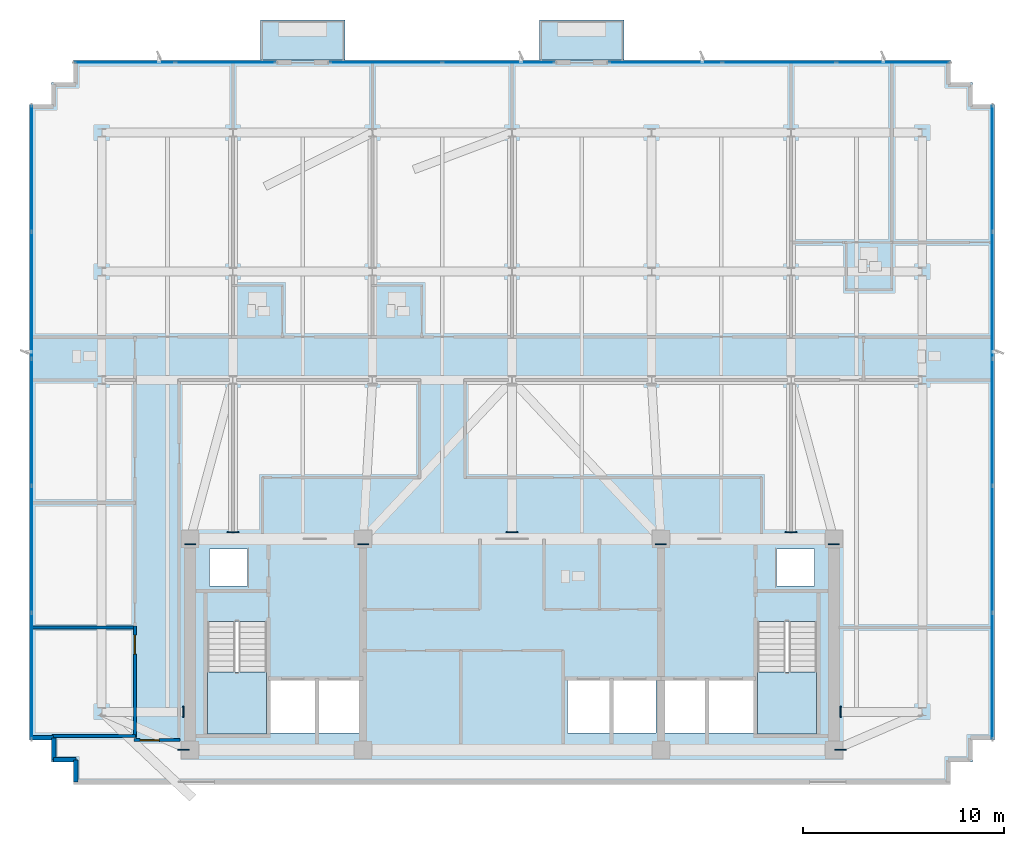
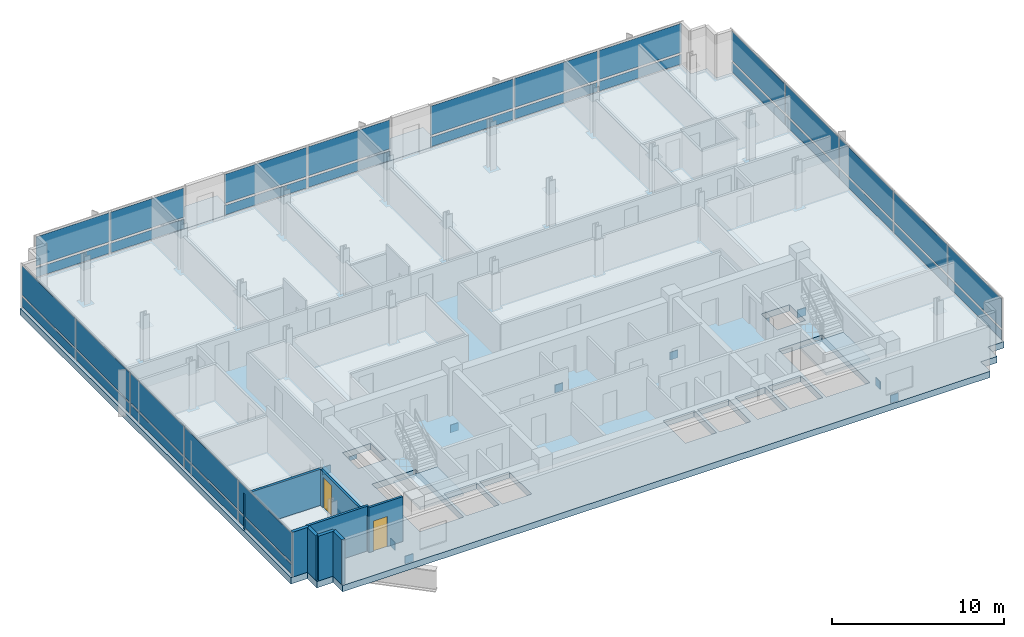
# One storey, part 7 of 16: 45 plates, 8 walls, 5 slabs, 2 doors, 2 openings, 7 elements without a shape of their own.
"""IFC4 building model written with IfcOpenShell, lengths in metres."""

from ifc_helpers import new_model, si_unit, direction, frame, frame_2d, origin, origin_2d, place, context, subcontext, project, spatial, polyline, rectangle, outline, extrude, material, layer, layer_set, type_object, element, fill, aggregate, save


model = new_model("IFC4")

# Units and contexts
model_context = context("Model", 3, precision=1e-05, world=origin(), true_north=direction((0.0, 1.0)))
body_context = subcontext(model_context, "Body", "Model", "MODEL_VIEW")
ifc_project = project(units=[si_unit("LENGTHUNIT", "METRE"), si_unit("AREAUNIT", "SQUARE_METRE"), si_unit("VOLUMEUNIT", "CUBIC_METRE"), si_unit("PLANEANGLEUNIT", "RADIAN"), si_unit("MASSUNIT", "GRAM", prefix="KILO")], contexts=[model_context])

# Site, building, storey
site_placement = place(None, origin())
site = spatial("IfcSite", under=ifc_project, at=site_placement, CompositionType="ELEMENT")
building_placement = place(site_placement, origin())
building = spatial("IfcBuilding", under=site, at=building_placement, Name="Solmavex Isthmus Hotel", CompositionType="ELEMENT")
storey_placement = place(building_placement, frame((0.0, 0.0, 245.39990234375)))
storey = spatial("IfcBuildingStorey", under=building, at=storey_placement, Name="L66", CompositionType="ELEMENT", Elevation=245.39990234375)

# Curtain wall, plates
ifc_material_1 = material(Name="Aluminium alloy 6063-T6", Category="aluminium")
curtain_wall_type = type_object("IfcCurtainWallType", Name="CW-SYS-04", PredefinedType="NOTDEFINED", material=ifc_material_1)
curtain_wall_1_placement = place(storey_placement, origin())
curtain_wall_1 = element("IfcCurtainWall", 1, at=curtain_wall_1_placement, inside=storey, type_object=curtain_wall_type, Name="Stick Curtain Wall CWL-L66-N1", PredefinedType="NOTDEFINED")
ifc_material_2 = material(Name="Clear low-E laminated glass", Category="glass")
ifc_layer_1 = layer(ifc_material_2, 0.033935546875)
ifc_layer_set_1 = layer_set([ifc_layer_1], Name="Clear low-E laminated glass")
plate_type_1 = type_object("IfcPlateType", Name="CW-SYS-04-PNL", PredefinedType="CURTAIN_PANEL", material=ifc_layer_set_1)
plate_1_placement = place(storey_placement, frame((-19.25732421875, 21.179931640625, 0.14990234375), z_axis=(0.0, 0.0, 1.0), x_axis=(1.0, 0.0, 0.0)))
plate_1 = element("IfcPlate", 2, at=plate_1_placement, type_object=plate_type_1, Name="CW-04 panel 1.1", PredefinedType="CURTAIN_PANEL", context=body_context, shape_type="SweptSolid", body=[
    extrude(rectangle(XDim=4.935546875, YDim=0.033935546875, at=origin_2d()), origin(), (0.0, 0.0, 1.0), 0.675048828125),
])
plate_2_placement = place(storey_placement, frame((-19.25732421875, 21.179931640625, 0.97509765625), z_axis=(0.0, 0.0, 1.0), x_axis=(1.0, 0.0, 0.0)))
plate_2 = element("IfcPlate", 3, at=plate_2_placement, type_object=plate_type_1, Name="CW-04 panel 1.2", PredefinedType="CURTAIN_PANEL", context=body_context, shape_type="SweptSolid", body=[
    extrude(rectangle(XDim=4.935546875, YDim=0.033935546875, at=origin_2d()), origin(), (0.0, 0.0, 1.0), 2.06494140625),
])
plate_3_placement = place(storey_placement, frame((-14.246826171875, 21.179931640625, 0.14990234375), z_axis=(0.0, 0.0, 1.0), x_axis=(1.0, 0.0, 0.0)))
plate_3 = element("IfcPlate", 4, at=plate_3_placement, type_object=plate_type_1, Name="CW-04 panel 2.1", PredefinedType="CURTAIN_PANEL", context=body_context, shape_type="SweptSolid", body=[
    extrude(rectangle(XDim=4.935546875, YDim=0.033935546875, at=origin_2d()), origin(), (0.0, 0.0, 1.0), 0.675048828125),
])
plate_4_placement = place(storey_placement, frame((-14.246826171875, 21.179931640625, 0.97509765625), z_axis=(0.0, 0.0, 1.0), x_axis=(1.0, 0.0, 0.0)))
plate_4 = element("IfcPlate", 5, at=plate_4_placement, type_object=plate_type_1, Name="CW-04 panel 2.2", PredefinedType="CURTAIN_PANEL", context=body_context, shape_type="SweptSolid", body=[
    extrude(rectangle(XDim=4.935546875, YDim=0.033935546875, at=origin_2d()), origin(), (0.0, 0.0, 1.0), 2.06494140625),
])
aggregate(curtain_wall_1, [plate_1, plate_2, plate_3, plate_4])

curtain_wall_2_placement = place(storey_placement, origin())
curtain_wall_2 = element("IfcCurtainWall", 6, at=curtain_wall_2_placement, inside=storey, type_object=curtain_wall_type, Name="Stick Curtain Wall CWL-L66-N2", PredefinedType="NOTDEFINED")
plate_5_placement = place(storey_placement, frame((-6.267333984375, 21.179931640625, 0.14990234375), z_axis=(0.0, 0.0, 1.0), x_axis=(1.0, 0.0, 0.0)))
plate_5 = element("IfcPlate", 7, at=plate_5_placement, type_object=plate_type_1, Name="CW-04 panel 1.1", PredefinedType="CURTAIN_PANEL", context=body_context, shape_type="SweptSolid", body=[
    extrude(rectangle(XDim=5.5234375, YDim=0.033935546875, at=origin_2d()), origin(), (0.0, 0.0, 1.0), 0.675048828125),
])
plate_6_placement = place(storey_placement, frame((-6.267333984375, 21.179931640625, 0.97509765625), z_axis=(0.0, 0.0, 1.0), x_axis=(1.0, 0.0, 0.0)))
plate_6 = element("IfcPlate", 8, at=plate_6_placement, type_object=plate_type_1, Name="CW-04 panel 1.2", PredefinedType="CURTAIN_PANEL", context=body_context, shape_type="SweptSolid", body=[
    extrude(rectangle(XDim=5.5234375, YDim=0.033935546875, at=origin_2d()), origin(), (0.0, 0.0, 1.0), 2.06494140625),
])
plate_7_placement = place(storey_placement, frame((-0.668701171875, 21.179931640625, 0.14990234375), z_axis=(0.0, 0.0, 1.0), x_axis=(1.0, 0.0, 0.0)))
plate_7 = element("IfcPlate", 9, at=plate_7_placement, type_object=plate_type_1, Name="CW-04 panel 2.1", PredefinedType="CURTAIN_PANEL", context=body_context, shape_type="SweptSolid", body=[
    extrude(rectangle(XDim=5.5234375, YDim=0.033935546875, at=origin_2d()), origin(), (0.0, 0.0, 1.0), 0.675048828125),
])
plate_8_placement = place(storey_placement, frame((-0.668701171875, 21.179931640625, 0.97509765625), z_axis=(0.0, 0.0, 1.0), x_axis=(1.0, 0.0, 0.0)))
plate_8 = element("IfcPlate", 10, at=plate_8_placement, type_object=plate_type_1, Name="CW-04 panel 2.2", PredefinedType="CURTAIN_PANEL", context=body_context, shape_type="SweptSolid", body=[
    extrude(rectangle(XDim=5.5234375, YDim=0.033935546875, at=origin_2d()), origin(), (0.0, 0.0, 1.0), 2.06494140625),
])
aggregate(curtain_wall_2, [plate_5, plate_6, plate_7, plate_8])

curtain_wall_3_placement = place(storey_placement, origin())
curtain_wall_3 = element("IfcCurtainWall", 11, at=curtain_wall_3_placement, inside=storey, type_object=curtain_wall_type, Name="Stick Curtain Wall CWL-L66-N3", PredefinedType="NOTDEFINED")
plate_9_placement = place(storey_placement, frame((7.62548828125, 21.179931640625, 0.14990234375), z_axis=(0.0, 0.0, 1.0), x_axis=(1.0, 0.0, 0.0)))
plate_9 = element("IfcPlate", 12, at=plate_9_placement, type_object=plate_type_1, Name="CW-04 panel 1.1", PredefinedType="CURTAIN_PANEL", context=body_context, shape_type="SweptSolid", body=[
    extrude(rectangle(XDim=5.56494140625, YDim=0.033935546875, at=origin_2d()), origin(), (0.0, 0.0, 1.0), 0.675048828125),
])
plate_10_placement = place(storey_placement, frame((7.62548828125, 21.179931640625, 0.97509765625), z_axis=(0.0, 0.0, 1.0), x_axis=(1.0, 0.0, 0.0)))
plate_10 = element("IfcPlate", 13, at=plate_10_placement, type_object=plate_type_1, Name="CW-04 panel 1.2", PredefinedType="CURTAIN_PANEL", context=body_context, shape_type="SweptSolid", body=[
    extrude(rectangle(XDim=5.56494140625, YDim=0.033935546875, at=origin_2d()), origin(), (0.0, 0.0, 1.0), 2.06494140625),
])
plate_11_placement = place(storey_placement, frame((13.283935546875, 21.179931640625, 0.14990234375), z_axis=(0.0, 0.0, 1.0), x_axis=(1.0, 0.0, 0.0)))
plate_11 = element("IfcPlate", 14, at=plate_11_placement, type_object=plate_type_1, Name="CW-04 panel 2.1", PredefinedType="CURTAIN_PANEL", context=body_context, shape_type="SweptSolid", body=[
    extrude(rectangle(XDim=5.602294921875, YDim=0.033935546875, at=origin_2d()), origin(), (0.0, 0.0, 1.0), 0.675048828125),
])
plate_12_placement = place(storey_placement, frame((13.283935546875, 21.179931640625, 0.97509765625), z_axis=(0.0, 0.0, 1.0), x_axis=(1.0, 0.0, 0.0)))
plate_12 = element("IfcPlate", 15, at=plate_12_placement, type_object=plate_type_1, Name="CW-04 panel 2.2", PredefinedType="CURTAIN_PANEL", context=body_context, shape_type="SweptSolid", body=[
    extrude(rectangle(XDim=5.602294921875, YDim=0.033935546875, at=origin_2d()), origin(), (0.0, 0.0, 1.0), 2.06494140625),
])
plate_13_placement = place(storey_placement, frame((18.942626953125, 21.179931640625, 0.14990234375), z_axis=(0.0, 0.0, 1.0), x_axis=(1.0, 0.0, 0.0)))
plate_13 = element("IfcPlate", 16, at=plate_13_placement, type_object=plate_type_1, Name="CW-04 panel 3.1", PredefinedType="CURTAIN_PANEL", context=body_context, shape_type="SweptSolid", body=[
    extrude(rectangle(XDim=5.56494140625, YDim=0.033935546875, at=origin_2d()), origin(), (0.0, 0.0, 1.0), 0.675048828125),
])
plate_14_placement = place(storey_placement, frame((18.942626953125, 21.179931640625, 0.97509765625), z_axis=(0.0, 0.0, 1.0), x_axis=(1.0, 0.0, 0.0)))
plate_14 = element("IfcPlate", 17, at=plate_14_placement, type_object=plate_type_1, Name="CW-04 panel 3.2", PredefinedType="CURTAIN_PANEL", context=body_context, shape_type="SweptSolid", body=[
    extrude(rectangle(XDim=5.56494140625, YDim=0.033935546875, at=origin_2d()), origin(), (0.0, 0.0, 1.0), 2.06494140625),
])
aggregate(curtain_wall_3, [plate_9, plate_10, plate_11, plate_12, plate_13, plate_14])

curtain_wall_4_placement = place(storey_placement, origin())
curtain_wall_4 = element("IfcCurtainWall", 18, at=curtain_wall_4_placement, inside=storey, type_object=curtain_wall_type, Name="Stick Curtain Wall CWL-L66-W1", PredefinedType="NOTDEFINED")
plate_15_placement = place(storey_placement, frame((-23.8798828125, -9.3212890625, 0.14990234375), z_axis=(0.0, 0.0, 1.0), x_axis=(0.0, 1.0, 0.0)))
plate_15 = element("IfcPlate", 19, at=plate_15_placement, type_object=plate_type_1, Name="CW-04 panel 1.1", PredefinedType="CURTAIN_PANEL", context=body_context, shape_type="SweptSolid", body=[
    extrude(rectangle(XDim=6.20751953125, YDim=0.033935546875, at=origin_2d()), origin(), (0.0, 0.0, 1.0), 0.675048828125),
])
plate_16_placement = place(storey_placement, frame((-23.8798828125, -9.3212890625, 0.97509765625), z_axis=(0.0, 0.0, 1.0), x_axis=(0.0, 1.0, 0.0)))
plate_16 = element("IfcPlate", 20, at=plate_16_placement, type_object=plate_type_1, Name="CW-04 panel 1.2", PredefinedType="CURTAIN_PANEL", context=body_context, shape_type="SweptSolid", body=[
    extrude(rectangle(XDim=6.20751953125, YDim=0.033935546875, at=origin_2d()), origin(), (0.0, 0.0, 1.0), 2.06494140625),
])
plate_17_placement = place(storey_placement, frame((-23.8798828125, -3.02001953125, 0.14990234375), z_axis=(0.0, 0.0, 1.0), x_axis=(0.0, 1.0, 0.0)))
plate_17 = element("IfcPlate", 21, at=plate_17_placement, type_object=plate_type_1, Name="CW-04 panel 2.1", PredefinedType="CURTAIN_PANEL", context=body_context, shape_type="SweptSolid", body=[
    extrude(rectangle(XDim=6.2451171875, YDim=0.033935546875, at=origin_2d()), origin(), (0.0, 0.0, 1.0), 0.675048828125),
])
plate_18_placement = place(storey_placement, frame((-23.8798828125, -3.02001953125, 0.97509765625), z_axis=(0.0, 0.0, 1.0), x_axis=(0.0, 1.0, 0.0)))
plate_18 = element("IfcPlate", 22, at=plate_18_placement, type_object=plate_type_1, Name="CW-04 panel 2.2", PredefinedType="CURTAIN_PANEL", context=body_context, shape_type="SweptSolid", body=[
    extrude(rectangle(XDim=6.2451171875, YDim=0.033935546875, at=origin_2d()), origin(), (0.0, 0.0, 1.0), 2.06494140625),
])
plate_19_placement = place(storey_placement, frame((-23.8798828125, 3.300048828125, 0.14990234375), z_axis=(0.0, 0.0, 1.0), x_axis=(0.0, 1.0, 0.0)))
plate_19 = element("IfcPlate", 23, at=plate_19_placement, type_object=plate_type_1, Name="CW-04 panel 3.1", PredefinedType="CURTAIN_PANEL", context=body_context, shape_type="SweptSolid", body=[
    extrude(rectangle(XDim=6.2451171875, YDim=0.033935546875, at=origin_2d()), origin(), (0.0, 0.0, 1.0), 0.675048828125),
])
plate_20_placement = place(storey_placement, frame((-23.8798828125, 3.300048828125, 0.97509765625), z_axis=(0.0, 0.0, 1.0), x_axis=(0.0, 1.0, 0.0)))
plate_20 = element("IfcPlate", 24, at=plate_20_placement, type_object=plate_type_1, Name="CW-04 panel 3.2", PredefinedType="CURTAIN_PANEL", context=body_context, shape_type="SweptSolid", body=[
    extrude(rectangle(XDim=6.2451171875, YDim=0.033935546875, at=origin_2d()), origin(), (0.0, 0.0, 1.0), 2.06494140625),
])
plate_21_placement = place(storey_placement, frame((-23.8798828125, 9.6201171875, 0.14990234375), z_axis=(0.0, 0.0, 1.0), x_axis=(0.0, 1.0, 0.0)))
plate_21 = element("IfcPlate", 25, at=plate_21_placement, type_object=plate_type_1, Name="CW-04 panel 4.1", PredefinedType="CURTAIN_PANEL", context=body_context, shape_type="SweptSolid", body=[
    extrude(rectangle(XDim=6.2451171875, YDim=0.033935546875, at=origin_2d()), origin(), (0.0, 0.0, 1.0), 0.675048828125),
])
plate_22_placement = place(storey_placement, frame((-23.8798828125, 9.6201171875, 0.97509765625), z_axis=(0.0, 0.0, 1.0), x_axis=(0.0, 1.0, 0.0)))
plate_22 = element("IfcPlate", 26, at=plate_22_placement, type_object=plate_type_1, Name="CW-04 panel 4.2", PredefinedType="CURTAIN_PANEL", context=body_context, shape_type="SweptSolid", body=[
    extrude(rectangle(XDim=6.2451171875, YDim=0.033935546875, at=origin_2d()), origin(), (0.0, 0.0, 1.0), 2.06494140625),
])
plate_23_placement = place(storey_placement, frame((-23.8798828125, 15.921142578125, 0.14990234375), z_axis=(0.0, 0.0, 1.0), x_axis=(0.0, 1.0, 0.0)))
plate_23 = element("IfcPlate", 27, at=plate_23_placement, type_object=plate_type_1, Name="CW-04 panel 5.1", PredefinedType="CURTAIN_PANEL", context=body_context, shape_type="SweptSolid", body=[
    extrude(rectangle(XDim=6.20751953125, YDim=0.033935546875, at=origin_2d()), origin(), (0.0, 0.0, 1.0), 0.675048828125),
])
plate_24_placement = place(storey_placement, frame((-23.8798828125, 15.921142578125, 0.97509765625), z_axis=(0.0, 0.0, 1.0), x_axis=(0.0, 1.0, 0.0)))
plate_24 = element("IfcPlate", 28, at=plate_24_placement, type_object=plate_type_1, Name="CW-04 panel 5.2", PredefinedType="CURTAIN_PANEL", context=body_context, shape_type="SweptSolid", body=[
    extrude(rectangle(XDim=6.20751953125, YDim=0.033935546875, at=origin_2d()), origin(), (0.0, 0.0, 1.0), 2.06494140625),
])
aggregate(curtain_wall_4, [plate_15, plate_16, plate_17, plate_18, plate_19, plate_20, plate_21, plate_22, plate_23, plate_24])

curtain_wall_5_placement = place(storey_placement, origin())
curtain_wall_5 = element("IfcCurtainWall", 29, at=curtain_wall_5_placement, inside=storey, type_object=curtain_wall_type, Name="Stick Curtain Wall CWL-L66-E1", PredefinedType="NOTDEFINED")
plate_25_placement = place(storey_placement, frame((23.8798828125, -9.3212890625, 0.14990234375), z_axis=(0.0, 0.0, 1.0), x_axis=(0.0, 1.0, 0.0)))
plate_25 = element("IfcPlate", 30, at=plate_25_placement, type_object=plate_type_1, Name="CW-04 panel 1.1", PredefinedType="CURTAIN_PANEL", context=body_context, shape_type="SweptSolid", body=[
    extrude(rectangle(XDim=6.20751953125, YDim=0.033935546875, at=origin_2d()), origin(), (0.0, 0.0, 1.0), 0.675048828125),
])
plate_26_placement = place(storey_placement, frame((23.8798828125, -9.3212890625, 0.97509765625), z_axis=(0.0, 0.0, 1.0), x_axis=(0.0, 1.0, 0.0)))
plate_26 = element("IfcPlate", 31, at=plate_26_placement, type_object=plate_type_1, Name="CW-04 panel 1.2", PredefinedType="CURTAIN_PANEL", context=body_context, shape_type="SweptSolid", body=[
    extrude(rectangle(XDim=6.20751953125, YDim=0.033935546875, at=origin_2d()), origin(), (0.0, 0.0, 1.0), 2.06494140625),
])
plate_27_placement = place(storey_placement, frame((23.8798828125, -3.02001953125, 0.14990234375), z_axis=(0.0, 0.0, 1.0), x_axis=(0.0, 1.0, 0.0)))
plate_27 = element("IfcPlate", 32, at=plate_27_placement, type_object=plate_type_1, Name="CW-04 panel 2.1", PredefinedType="CURTAIN_PANEL", context=body_context, shape_type="SweptSolid", body=[
    extrude(rectangle(XDim=6.2451171875, YDim=0.033935546875, at=origin_2d()), origin(), (0.0, 0.0, 1.0), 0.675048828125),
])
plate_28_placement = place(storey_placement, frame((23.8798828125, -3.02001953125, 0.97509765625), z_axis=(0.0, 0.0, 1.0), x_axis=(0.0, 1.0, 0.0)))
plate_28 = element("IfcPlate", 33, at=plate_28_placement, type_object=plate_type_1, Name="CW-04 panel 2.2", PredefinedType="CURTAIN_PANEL", context=body_context, shape_type="SweptSolid", body=[
    extrude(rectangle(XDim=6.2451171875, YDim=0.033935546875, at=origin_2d()), origin(), (0.0, 0.0, 1.0), 2.06494140625),
])
plate_29_placement = place(storey_placement, frame((23.8798828125, 3.300048828125, 0.14990234375), z_axis=(0.0, 0.0, 1.0), x_axis=(0.0, 1.0, 0.0)))
plate_29 = element("IfcPlate", 34, at=plate_29_placement, type_object=plate_type_1, Name="CW-04 panel 3.1", PredefinedType="CURTAIN_PANEL", context=body_context, shape_type="SweptSolid", body=[
    extrude(rectangle(XDim=6.2451171875, YDim=0.033935546875, at=origin_2d()), origin(), (0.0, 0.0, 1.0), 0.675048828125),
])
plate_30_placement = place(storey_placement, frame((23.8798828125, 3.300048828125, 0.97509765625), z_axis=(0.0, 0.0, 1.0), x_axis=(0.0, 1.0, 0.0)))
plate_30 = element("IfcPlate", 35, at=plate_30_placement, type_object=plate_type_1, Name="CW-04 panel 3.2", PredefinedType="CURTAIN_PANEL", context=body_context, shape_type="SweptSolid", body=[
    extrude(rectangle(XDim=6.2451171875, YDim=0.033935546875, at=origin_2d()), origin(), (0.0, 0.0, 1.0), 2.06494140625),
])
plate_31_placement = place(storey_placement, frame((23.8798828125, 9.6201171875, 0.14990234375), z_axis=(0.0, 0.0, 1.0), x_axis=(0.0, 1.0, 0.0)))
plate_31 = element("IfcPlate", 36, at=plate_31_placement, type_object=plate_type_1, Name="CW-04 panel 4.1", PredefinedType="CURTAIN_PANEL", context=body_context, shape_type="SweptSolid", body=[
    extrude(rectangle(XDim=6.2451171875, YDim=0.033935546875, at=origin_2d()), origin(), (0.0, 0.0, 1.0), 0.675048828125),
])
plate_32_placement = place(storey_placement, frame((23.8798828125, 9.6201171875, 0.97509765625), z_axis=(0.0, 0.0, 1.0), x_axis=(0.0, 1.0, 0.0)))
plate_32 = element("IfcPlate", 37, at=plate_32_placement, type_object=plate_type_1, Name="CW-04 panel 4.2", PredefinedType="CURTAIN_PANEL", context=body_context, shape_type="SweptSolid", body=[
    extrude(rectangle(XDim=6.2451171875, YDim=0.033935546875, at=origin_2d()), origin(), (0.0, 0.0, 1.0), 2.06494140625),
])
plate_33_placement = place(storey_placement, frame((23.8798828125, 15.921142578125, 0.14990234375), z_axis=(0.0, 0.0, 1.0), x_axis=(0.0, 1.0, 0.0)))
plate_33 = element("IfcPlate", 38, at=plate_33_placement, type_object=plate_type_1, Name="CW-04 panel 5.1", PredefinedType="CURTAIN_PANEL", context=body_context, shape_type="SweptSolid", body=[
    extrude(rectangle(XDim=6.20751953125, YDim=0.033935546875, at=origin_2d()), origin(), (0.0, 0.0, 1.0), 0.675048828125),
])
plate_34_placement = place(storey_placement, frame((23.8798828125, 15.921142578125, 0.97509765625), z_axis=(0.0, 0.0, 1.0), x_axis=(0.0, 1.0, 0.0)))
plate_34 = element("IfcPlate", 39, at=plate_34_placement, type_object=plate_type_1, Name="CW-04 panel 5.2", PredefinedType="CURTAIN_PANEL", context=body_context, shape_type="SweptSolid", body=[
    extrude(rectangle(XDim=6.20751953125, YDim=0.033935546875, at=origin_2d()), origin(), (0.0, 0.0, 1.0), 2.06494140625),
])
aggregate(curtain_wall_5, [plate_25, plate_26, plate_27, plate_28, plate_29, plate_30, plate_31, plate_32, plate_33, plate_34])

# Plates
ifc_material_3 = material(Name="Steel ASTM A572 Grade 50", Category="steel")
ifc_layer_2 = layer(ifc_material_3, 0.06005859375)
ifc_layer_set_2 = layer_set([ifc_layer_2], Name="Steel ASTM A572 Grade 50")
plate_type_2 = type_object("IfcPlateType", Name="PLT-EMBED-60", PredefinedType="USERDEFINED", material=ifc_layer_set_2)
for number, where, z_axis, x_axis, name in (
    (40, (-7.39794921875, -2.76416015625, -1.3046875), (0.0, 0.0, 1.0), (1.0, 0.0, 0.0), "Outrigger Strut Core Cast-In Embedment Stiffener Plate 095"),
    (41, (7.39794921875, -2.76416015625, -1.3046875), (0.0, 0.0, 1.0), (1.0, 0.0, 0.0), "Outrigger Strut Core Cast-In Embedment Stiffener Plate 096"),
    (42, (-15.99072265625, -2.76513671875, -1.3046875), (0.0, 0.0, 1.0), (1.0, 0.0, 0.0), "Outrigger Strut Core Cast-In Embedment Stiffener Plate 097"),
    (43, (15.99072265625, -2.76513671875, -1.3046875), (0.0, 0.0, 1.0), (1.0, 0.0, 0.0), "Outrigger Strut Core Cast-In Embedment Stiffener Plate 098"),
    (44, (-16.3330078125, -12.98583984375, -1.3046875), (0.0, 0.0, 1.0), (1.0, 0.0, 0.0), "Outrigger Strut Core Cast-In Embedment Stiffener Plate 099"),
    (45, (16.3330078125, -12.98583984375, -1.3046875), (0.0, 0.0, 1.0), (1.0, 0.0, 0.0), "Outrigger Strut Core Cast-In Embedment Stiffener Plate 100"),
    (46, (-16.3359375, -11.10009765625, -1.4150390625), (0.0, 0.0, 1.0), (0.0, 1.0, 0.0), "Outrigger Strut Core Cast-In Embedment Stiffener Plate 101"),
    (47, (16.3359375, -11.10009765625, -1.4150390625), (0.0, 0.0, 1.0), (0.0, 1.0, 0.0), "Outrigger Strut Core Cast-In Embedment Stiffener Plate 102"),
    (48, (-13.8720703125, -2.1640625, -1.4150390625), (0.0, 0.0, 1.0), (1.0, 0.0, 0.0), "Outrigger Strut Core Cast-In Embedment Stiffener Plate 103"),
    (49, (0.0, -2.1640625, -1.4150390625), (0.0, 0.0, 1.0), (1.0, 0.0, 0.0), "Outrigger Strut Core Cast-In Embedment Stiffener Plate 104"),
    (50, (13.8720703125, -2.1640625, -1.4150390625), (0.0, 0.0, 1.0), (1.0, 0.0, 0.0), "Outrigger Strut Core Cast-In Embedment Stiffener Plate 105"),
):
    element("IfcPlate", number, at=place(storey_placement, frame(where, z_axis=z_axis, x_axis=x_axis)), inside=storey, type_object=plate_type_2, Name=name, ObjectType="STIFFENER_PLATE", PredefinedType="USERDEFINED", context=body_context, shape_type="SweptSolid", body=[
        extrude(rectangle(XDim=0.550048828125, YDim=0.06005859375, at=origin_2d()), origin(), (0.0, 0.0, 1.0), 0.550048828125),
    ])

# Slabs
ifc_material_4 = material(Name="Concrete C40/50", Category="concrete")
ifc_layer_3 = layer(ifc_material_4, 0.239990234375)
ifc_layer_set_3 = layer_set([ifc_layer_3], Name="Concrete C40/50")
slab_type_1 = type_object("IfcSlabType", Name="SLAB-BALC-240", PredefinedType="FLOOR", material=ifc_layer_set_3)
slab_1_placement = place(storey_placement, frame((0.0, 0.0, -0.239990234375)))
element("IfcSlab", 51, at=slab_1_placement, inside=storey, type_object=slab_type_1, Name="Tree-Planter Balcony Slab L66-B1", PredefinedType="FLOOR", context=body_context, shape_type="SweptSolid", body=[
    extrude(outline(polyline([(-12.50390625, 21.31494140625), (-8.303955078125, 21.31494140625), (-8.303955078125, 23.300048828125), (-12.50390625, 23.300048828125), (-12.50390625, 21.31494140625)])), origin(), (0.0, 0.0, 1.0), 0.239990234375),
])
slab_2_placement = place(storey_placement, frame((0.0, 0.0, -0.239990234375)))
element("IfcSlab", 52, at=slab_2_placement, inside=storey, type_object=slab_type_1, Name="Tree-Planter Balcony Slab L66-B2", PredefinedType="FLOOR", context=body_context, shape_type="SweptSolid", body=[
    extrude(outline(polyline([(1.367919921875, 21.31494140625), (5.568115234375, 21.31494140625), (5.568115234375, 23.300048828125), (1.367919921875, 23.300048828125), (1.367919921875, 21.31494140625)])), origin(), (0.0, 0.0, 1.0), 0.239990234375),
])
ifc_material_5 = material(Name="Concrete C50/60", Category="concrete")
ifc_layer_4 = layer(ifc_material_5, 0.449951171875)
ifc_layer_set_4 = layer_set([ifc_layer_4], Name="Concrete C50/60")
slab_type_2 = type_object("IfcSlabType", Name="SLAB-XFER-360", PredefinedType="FLOOR", material=ifc_layer_set_4)
slab_3_placement = place(storey_placement, frame((0.0, 0.0, -0.449951171875)))
element("IfcSlab", 53, at=slab_3_placement, inside=storey, type_object=slab_type_2, Name="Tower Structural Floor Slab L66", PredefinedType="FLOOR", context=body_context, shape_type="SweptSolid", body=[
    extrude(outline(polyline([(-20.699951171875, -14.699951171875), (20.699951171875, -14.699951171875), (21.800048828125, -14.699951171875), (21.800048828125, -13.60009765625), (22.89990234375, -13.60009765625), (22.89990234375, -12.5), (24.0, -12.5), (24.0, -11.39990234375), (24.0, 18.0), (24.0, 19.10009765625), (22.89990234375, 19.10009765625), (22.89990234375, 20.199951171875), (21.800048828125, 20.199951171875), (21.800048828125, 21.300048828125), (20.699951171875, 21.300048828125), (-20.699951171875, 21.300048828125), (-21.800048828125, 21.300048828125), (-21.800048828125, 20.199951171875), (-22.89990234375, 20.199951171875), (-22.89990234375, 19.10009765625), (-24.0, 19.10009765625), (-24.0, 18.0), (-24.0, -11.39990234375), (-24.0, -12.5), (-22.89990234375, -12.5), (-22.89990234375, -13.60009765625), (-21.800048828125, -13.60009765625), (-21.800048828125, -14.699951171875), (-20.699951171875, -14.699951171875)]), holes=[polyline([(-15.14990234375, -6.617919921875), (-15.14990234375, -12.199951171875), (-12.199951171875, -12.199951171875), (-12.199951171875, -6.617919921875), (-15.14990234375, -6.617919921875)]), polyline([(12.199951171875, -6.617919921875), (12.199951171875, -12.199951171875), (15.14990234375, -12.199951171875), (15.14990234375, -6.617919921875), (12.199951171875, -6.617919921875)]), polyline([(-12.0, -12.14990234375), (-9.800048828125, -12.14990234375), (-9.800048828125, -9.550048828125), (-12.0, -9.550048828125), (-12.0, -12.14990234375)]), polyline([(9.800048828125, -12.14990234375), (12.0, -12.14990234375), (12.0, -9.550048828125), (9.800048828125, -9.550048828125), (9.800048828125, -12.14990234375)]), polyline([(-9.60009765625, -12.14990234375), (-7.60009765625, -12.14990234375), (-7.60009765625, -9.550048828125), (-9.60009765625, -9.550048828125), (-9.60009765625, -12.14990234375)]), polyline([(7.60009765625, -12.14990234375), (9.60009765625, -12.14990234375), (9.60009765625, -9.550048828125), (7.60009765625, -9.550048828125), (7.60009765625, -12.14990234375)]), polyline([(2.75, -12.14990234375), (4.85009765625, -12.14990234375), (4.85009765625, -9.550048828125), (2.75, -9.550048828125), (2.75, -12.14990234375)]), polyline([(5.050048828125, -12.14990234375), (7.14990234375, -12.14990234375), (7.14990234375, -9.550048828125), (5.050048828125, -9.550048828125), (5.050048828125, -12.14990234375)]), polyline([(-15.050048828125, -4.85009765625), (-13.14990234375, -4.85009765625), (-13.14990234375, -3.0), (-15.050048828125, -3.0), (-15.050048828125, -4.85009765625)]), polyline([(13.14990234375, -4.85009765625), (15.050048828125, -4.85009765625), (15.050048828125, -3.0), (13.14990234375, -3.0), (13.14990234375, -4.85009765625)])]), origin(), (0.0, 0.0, 1.0), 0.449951171875),
])

# Stair, slab
stair_type_1 = type_object("IfcStairType", Name="STR-ST-1", PredefinedType="HALF_TURN_STAIR", material=ifc_material_4)
stair_1_placement = place(storey_placement, origin())
stair_1 = element("IfcStair", 54, at=stair_1_placement, inside=storey, type_object=stair_type_1, Name="L66 Protected Exit Stair ST-1", PredefinedType="HALF_TURN_STAIR")
ifc_layer_5 = layer(ifc_material_4, 0.219970703125)
ifc_layer_set_5 = layer_set([ifc_layer_5], Name="Concrete C40/50")
slab_type_3 = type_object("IfcSlabType", Name="SLD-ST-1", PredefinedType="LANDING", material=ifc_layer_set_5)
slab_4_placement = place(storey_placement, frame((0.0, 0.0, 1.525146484375)))
slab_4 = element("IfcSlab", 55, at=slab_4_placement, type_object=slab_type_3, Name="ST-1 landing 1", PredefinedType="LANDING", context=body_context, shape_type="SweptSolid", body=[
    extrude(outline(polyline([(-15.14990234375, -9.1201171875), (-15.14990234375, -12.199951171875), (-12.199951171875, -12.199951171875), (-12.199951171875, -9.1201171875), (-15.14990234375, -9.1201171875)])), origin(), (0.0, 0.0, 1.0), 0.199951171875),
])
aggregate(stair_1, [slab_4])

stair_type_2 = type_object("IfcStairType", Name="STR-ST-2", PredefinedType="HALF_TURN_STAIR", material=ifc_material_4)
stair_2_placement = place(storey_placement, origin())
stair_2 = element("IfcStair", 56, at=stair_2_placement, inside=storey, type_object=stair_type_2, Name="L66 Protected Exit Stair ST-2", PredefinedType="HALF_TURN_STAIR")
ifc_layer_6 = layer(ifc_material_4, 0.219970703125)
ifc_layer_set_6 = layer_set([ifc_layer_6], Name="Concrete C40/50")
slab_type_4 = type_object("IfcSlabType", Name="SLD-ST-2", PredefinedType="LANDING", material=ifc_layer_set_6)
slab_5_placement = place(storey_placement, frame((0.0, 0.0, 1.525146484375)))
slab_5 = element("IfcSlab", 57, at=slab_5_placement, type_object=slab_type_4, Name="ST-2 landing 1", PredefinedType="LANDING", context=body_context, shape_type="SweptSolid", body=[
    extrude(outline(polyline([(12.199951171875, -9.1201171875), (12.199951171875, -12.199951171875), (15.14990234375, -12.199951171875), (15.14990234375, -9.1201171875), (12.199951171875, -9.1201171875)])), origin(), (0.0, 0.0, 1.0), 0.199951171875),
])
aggregate(stair_2, [slab_5])

# Walls
ifc_material_6 = material(Name="Precast Concrete C40/50", Category="concrete")
ifc_layer_7 = layer(ifc_material_6, 0.25)
ifc_layer_set_7 = layer_set([ifc_layer_7], Name="Precast Concrete C40/50")
wall_type_1 = type_object("IfcWallType", Name="EW-TWR-250", PredefinedType="STANDARD", material=ifc_layer_set_7)
for number, where, z_axis, x_axis, name in (
    (58, (-21.68994140625, -14.590087890625, 0.0), (0.0, 0.0, 1.0), (0.0, 1.0, 0.0), "Serrated Corner Facade Panel L66-01"),
    (59, (-21.68994140625, -13.489990234375, 0.0), (0.0, 0.0, 1.0), (-1.0, 0.0, 0.0), "Serrated Corner Facade Panel L66-02"),
    (60, (-22.7900390625, -13.489990234375, 0.0), (0.0, 0.0, 1.0), (0.0, 1.0, 0.0), "Serrated Corner Facade Panel L66-03"),
):
    element("IfcWall", number, at=place(storey_placement, frame(where, z_axis=z_axis, x_axis=x_axis)), inside=storey, type_object=wall_type_1, Name=name, PredefinedType="STANDARD", context=body_context, shape_type="SweptSolid", body=[
        extrude(rectangle(XDim=1.10009765625, YDim=0.219970703125, at=frame_2d((0.550048828125, 0.0))), origin(), (0.0, 0.0, 1.0), 3.190185546875),
    ])
wall_1_placement = place(storey_placement, frame((-22.7900390625, -12.389892578125, 0.0), z_axis=(0.0, 0.0, 1.0), x_axis=(-1.0, 0.0, 0.0)))
element("IfcWall", 61, at=wall_1_placement, inside=storey, type_object=wall_type_1, Name="Serrated Corner Facade Panel L66-04", PredefinedType="STANDARD", context=body_context, shape_type="SweptSolid", body=[
    extrude(rectangle(XDim=1.099853515625, YDim=0.219970703125, at=frame_2d((0.5498046875, 0.0))), origin(), (0.0, 0.0, 1.0), 3.190185546875),
])
ifc_material_7 = material(Name="Gypsum plasterboard lining", Category="gypsum")
ifc_layer_8 = layer(ifc_material_7, 0.159912109375)
ifc_layer_set_8 = layer_set([ifc_layer_8], Name="Gypsum plasterboard lining")
wall_type_2 = type_object("IfcWallType", Name="IW-COMP-160", PredefinedType="PARTITIONING", material=ifc_layer_set_8)
wall_2_placement = place(storey_placement, frame((-23.919921875, -6.89990234375, 0.0), z_axis=(0.0, 0.0, 1.0), x_axis=(1.0, 0.0, 0.0)))
element("IfcWall", 62, at=wall_2_placement, inside=storey, type_object=wall_type_2, Name="Interior Partition Wall W-L66-P062", PredefinedType="PARTITIONING", context=body_context, shape_type="SweptSolid", body=[
    extrude(rectangle(XDim=5.2099609375, YDim=0.159912109375, at=frame_2d((2.60498046875, 0.0))), origin(), (0.0, 0.0, 1.0), 2.5576171875),
])
wall_3_placement = place(storey_placement, frame((-18.7099609375, -12.300048828125, 0.0), z_axis=(0.0, 0.0, 1.0), x_axis=(-1.0, 0.0, 0.0)))
element("IfcWall", 63, at=wall_3_placement, inside=storey, type_object=wall_type_2, Name="Interior Partition Wall W-L66-P063", PredefinedType="PARTITIONING", context=body_context, shape_type="SweptSolid", body=[
    extrude(rectangle(XDim=4.162109375, YDim=0.159912109375, at=frame_2d((2.0810546875, 0.0))), origin(), (0.0, 0.0, 1.0), 3.190185546875),
])

# Wall, opening, door
ifc_layer_9 = layer(ifc_material_7, 0.14990234375)
ifc_layer_set_9 = layer_set([ifc_layer_9], Name="Gypsum plasterboard lining")
wall_type_3 = type_object("IfcWallType", Name="IW-CORR-150", PredefinedType="PARTITIONING", material=ifc_layer_set_9)
wall_4_placement = place(storey_placement, frame((-18.75, -12.382080078125, 0.0), z_axis=(0.0, 0.0, 1.0), x_axis=(0.0, 1.0, 0.0)))
wall_4 = element("IfcWall", 64, at=wall_4_placement, inside=storey, type_object=wall_type_3, Name="Interior Partition Wall W-L66-P012", PredefinedType="PARTITIONING", context=body_context, shape_type="SweptSolid", body=[
    extrude(rectangle(XDim=5.56396484375, YDim=0.14990234375, at=frame_2d((2.781982421875, 0.0))), origin(), (0.0, 0.0, 1.0), 2.5576171875),
])
opening_1_placement = place(wall_4_placement, frame((4.149658203125, 0.0, 0.0)))
opening_1 = element("IfcOpeningElement", 65, at=opening_1_placement, cuts=wall_4, Name="Opening ID-C095", PredefinedType="OPENING", context=body_context, shape_type="SweptSolid", body=[
    extrude(rectangle(XDim=0.949951171875, YDim=2.14990234375, at=frame_2d((0.47509765625, 1.074951171875))), frame((0.0, 0.0849609375, 0.0), z_axis=(0.0, -1.0, 0.0), x_axis=(1.0, 0.0, 0.0)), (0.0, 0.0, 1.0), 0.169921875),
])
ifc_material_8 = material(Name="Hardwood timber", Category="wood")
door_type = type_object("IfcDoorType", Name="IDR-FD60-0950", OperationType="NOTDEFINED", PredefinedType="DOOR", material=ifc_material_8)
door_1_placement = place(opening_1_placement, frame((0.949951171875, 0.0, 0.0), z_axis=(0.0, 0.0, 1.0), x_axis=(-1.0, 0.0, 0.0)))
door_1 = element("IfcDoor", 66, at=door_1_placement, inside=storey, type_object=door_type, Name="Executive Hospitality Lounge Door L66-14", OperationType="SINGLE_SWING_RIGHT", OverallHeight=2.14990234375, OverallWidth=0.949951171875, PredefinedType="DOOR", context=body_context, shape_type="SweptSolid", body=[
    extrude(rectangle(XDim=0.949951171875, YDim=2.14990234375, at=frame_2d((0.47509765625, 1.074951171875))), frame((0.0, 0.02490234375, 0.0), z_axis=(0.0, -1.0, 0.0), x_axis=(1.0, 0.0, 0.0)), (0.0, 0.0, 1.0), 0.050048828125),
])
fill(opening_1, door_1)

wall_5_placement = place(storey_placement, frame((-16.510009765625, -12.5, 0.0), z_axis=(0.0, 0.0, 1.0), x_axis=(-1.0, 0.0, 0.0)))
wall_5 = element("IfcWall", 67, at=wall_5_placement, inside=storey, type_object=wall_type_3, Name="Interior Partition Wall W-L66-P029", PredefinedType="PARTITIONING", context=body_context, shape_type="SweptSolid", body=[
    extrude(rectangle(XDim=2.280029296875, YDim=0.14990234375, at=frame_2d((1.14013671875, 0.0))), origin(), (0.0, 0.0, 1.0), 3.190185546875),
])
opening_2_placement = place(wall_5_placement, frame((1.03466796875, 0.0, 0.0)))
opening_2 = element("IfcOpeningElement", 68, at=opening_2_placement, cuts=wall_5, Name="Opening ID-C095", PredefinedType="OPENING", context=body_context, shape_type="SweptSolid", body=[
    extrude(rectangle(XDim=0.949951171875, YDim=2.14990234375, at=frame_2d((0.47509765625, 1.074951171875))), frame((0.0, 0.0849609375, 0.0), z_axis=(0.0, -1.0, 0.0), x_axis=(1.0, 0.0, 0.0)), (0.0, 0.0, 1.0), 0.169921875),
])
door_2_placement = place(opening_2_placement, frame((0.949951171875, 0.0, 0.0), z_axis=(0.0, 0.0, 1.0), x_axis=(-1.0, 0.0, 0.0)))
door_2 = element("IfcDoor", 69, at=door_2_placement, inside=storey, type_object=door_type, Name="Executive Hospitality Lounge Door L66-19", OperationType="SINGLE_SWING_LEFT", OverallHeight=2.14990234375, OverallWidth=0.949951171875, PredefinedType="DOOR", context=body_context, shape_type="SweptSolid", body=[
    extrude(rectangle(XDim=0.949951171875, YDim=2.14990234375, at=frame_2d((0.47509765625, 1.074951171875))), frame((0.0, 0.02490234375, 0.0), z_axis=(0.0, -1.0, 0.0), x_axis=(1.0, 0.0, 0.0)), (0.0, 0.0, 1.0), 0.050048828125),
])
fill(opening_2, door_2)

save(model, "model.ifc")
